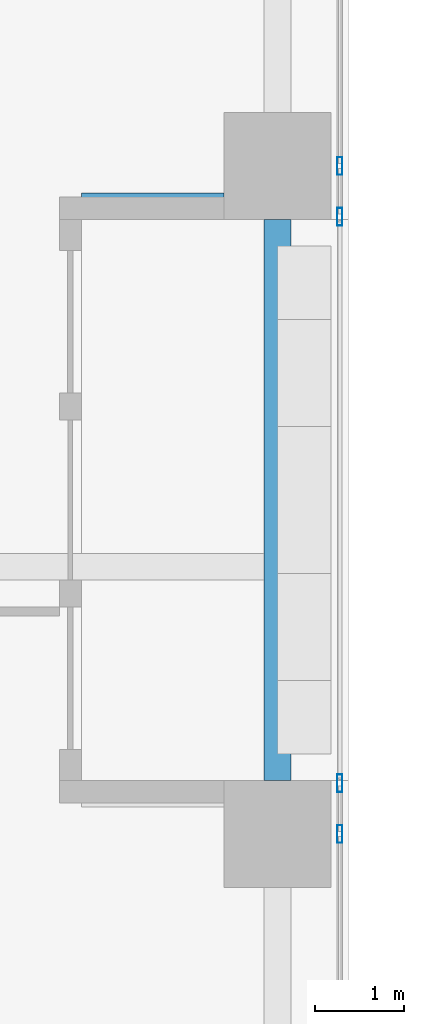
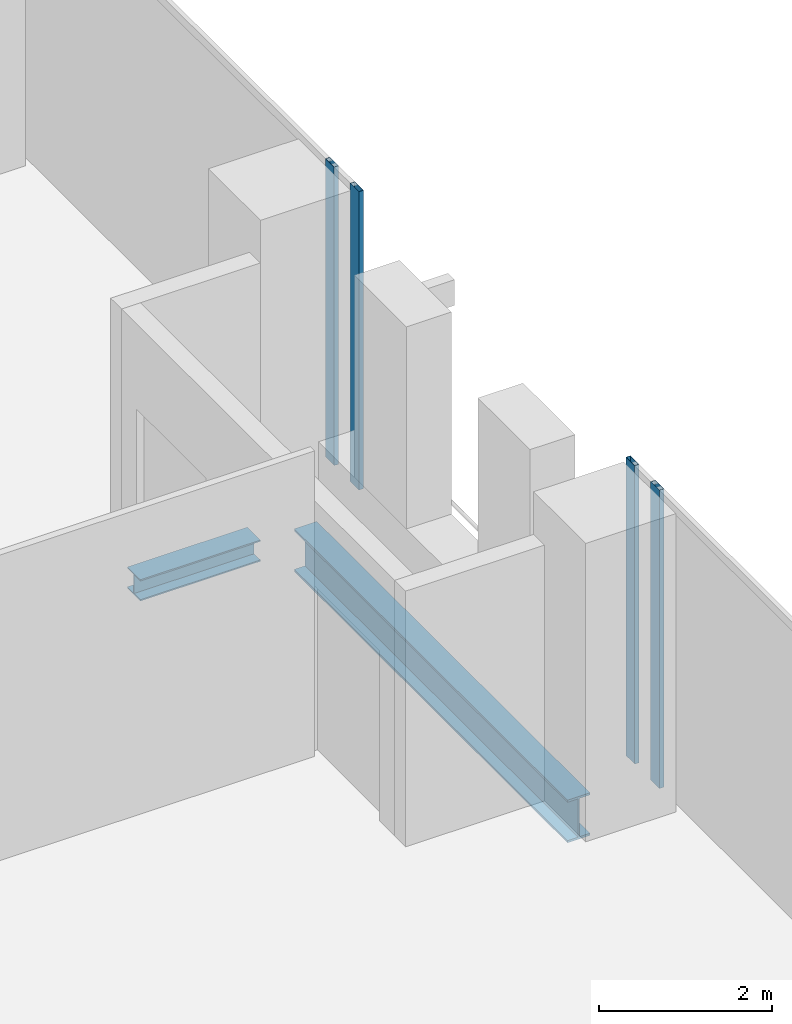
# One storey, part 11 of 33: 4 members, 2 beams, 2 elements without a shape of their own.
"""IFC4 building model written with IfcOpenShell, lengths in metres."""

from ifc_helpers import new_model, si_unit, direction, frame, origin, origin_2d, place, context, subcontext, project, spatial, hollow_rectangle, i_section, extrude, source, transform, mapped, material, material_profile, profile_set, type_object, element, aggregate, save


model = new_model("IFC4")

# Units and contexts
model_context = context("Model", 3, precision=1e-05, world=origin(), true_north=direction((0.0, 1.0)))
body_context = subcontext(model_context, "Body", "Model", "MODEL_VIEW")
ifc_project = project(units=[si_unit("LENGTHUNIT", "METRE"), si_unit("AREAUNIT", "SQUARE_METRE"), si_unit("VOLUMEUNIT", "CUBIC_METRE"), si_unit("PLANEANGLEUNIT", "RADIAN"), si_unit("MASSUNIT", "GRAM", prefix="KILO")], contexts=[model_context])

# Site, building, storey
site_placement = place(None, origin())
site = spatial("IfcSite", under=ifc_project, at=site_placement, CompositionType="ELEMENT")
building_placement = place(site_placement, origin())
building = spatial("IfcBuilding", under=site, at=building_placement, Name="Khomas Fold Tower", CompositionType="ELEMENT")
storey_placement = place(building_placement, frame((0.0, 0.0, 78.0)))
storey = spatial("IfcBuildingStorey", under=building, at=storey_placement, Name="L16", CompositionType="ELEMENT", Elevation=78.0)

# Beams
ifc_material_1 = material(Name="Steel S355", Category="steel")
ifc_material_profile_1 = material_profile(ifc_material_1, i_section(OverallWidth=0.300048828125, OverallDepth=0.60009765625, WebThickness=0.015380859375, FlangeThickness=0.030029296875, at=origin_2d()), Name="HE 600 B")
ifc_profile_set_1 = profile_set([ifc_material_profile_1], Name="Steel S355")
beam_type_1 = type_object("IfcBeamType", Name="HE 600 B spandrel SB1", PredefinedType="SPANDREL", material=ifc_profile_set_1)
shared_shape_1 = source(origin(), body_context, "Body", "SweptSolid", [
    extrude(i_section(OverallWidth=0.300048828125, OverallDepth=0.60009765625, WebThickness=0.015380859375, FlangeThickness=0.030029296875, at=origin_2d()), origin(), (0.0, 0.0, 1.0), 6.2998046875),
])
beam_1_placement = place(storey_placement, frame((53.199951171875, 20.10009765625, -0.60009765625), z_axis=(0.0, 1.0, 0.0), x_axis=(-1.0, 0.0, 0.0)))
element("IfcBeam", 1, at=beam_1_placement, inside=storey, type_object=beam_type_1, Name="SB1", PredefinedType="SPANDREL", context=body_context, shape_type="MappedRepresentation", body=[
    mapped(shared_shape_1, transform((0.0, 0.0, 0.0))),
])
ifc_material_2 = material(Name="Steel S355", Category="steel")
ifc_material_profile_2 = material_profile(ifc_material_2, i_section(OverallWidth=0.300048828125, OverallDepth=0.300048828125, WebThickness=0.010986328125, FlangeThickness=0.01904296875, at=origin_2d()), Name="HE 300 B")
ifc_profile_set_2 = profile_set([ifc_material_profile_2], Name="Steel S355")
beam_type_2 = type_object("IfcBeamType", Name="HE 300 B beam BB1", PredefinedType="BEAM", material=ifc_profile_set_2)
shared_shape_2 = source(origin(), body_context, "Body", "SweptSolid", [
    extrude(i_section(OverallWidth=0.300048828125, OverallDepth=0.300048828125, WebThickness=0.010986328125, FlangeThickness=0.01904296875, at=origin_2d()), origin(), (0.0, 0.0, 1.0), 1.60009765625),
])
beam_2_placement = place(storey_placement, frame((51.0, 26.550048828125, -0.449951171875), z_axis=(1.0, 0.0, 0.0), x_axis=(0.0, 1.0, 0.0)))
element("IfcBeam", 2, at=beam_2_placement, inside=storey, type_object=beam_type_2, Name="BB1", PredefinedType="BEAM", context=body_context, shape_type="MappedRepresentation", body=[
    mapped(shared_shape_2, transform((0.0, 0.0, 0.0))),
])

# Curtain wall, members
ifc_material_3 = material(Name="Aluminium framed double glazing", Category="aluminium")
curtain_wall_type = type_object("IfcCurtainWallType", Name="SK-Unitised clear-glass wall, growing floors CW1", PredefinedType="NOTDEFINED", material=ifc_material_3)
curtain_wall_1_placement = place(storey_placement, origin())
curtain_wall_1 = element("IfcCurtainWall", 3, at=curtain_wall_1_placement, inside=storey, type_object=curtain_wall_type, Name="CW1 run L16 03-0", PredefinedType="NOTDEFINED")
ifc_material_4 = material(Name="Aluminium", Category="aluminium")
ifc_material_profile_3 = material_profile(ifc_material_4, hollow_rectangle(XDim=0.06005859375, YDim=0.199951171875, WallThickness=0.00390625, at=origin_2d()), Name="SK-Unitised clear-glass wall, growing floors mullion CW1-M")
ifc_profile_set_3 = profile_set([ifc_material_profile_3], Name="Aluminium")
member_type = type_object("IfcMemberType", Name="SK-Unitised clear-glass wall, growing floors mullion CW1-M", PredefinedType="MULLION", material=ifc_profile_set_3)
shared_shape_3 = source(origin(), body_context, "Body", "SweptSolid", [
    extrude(hollow_rectangle(XDim=0.06005859375, YDim=0.199951171875, WallThickness=0.00390625, at=origin_2d()), origin(), (0.0, 0.0, 1.0), 4.199951171875),
])
member_1_placement = place(storey_placement, frame((53.89990234375, 19.5, 0.0), z_axis=(0.0, 0.0, 1.0), x_axis=(-1.0, 0.0, 0.0)))
member_1 = element("IfcMember", 4, at=member_1_placement, type_object=member_type, Name="CW1 mullion 4", PredefinedType="MULLION", context=body_context, shape_type="MappedRepresentation", body=[
    mapped(shared_shape_3, transform((0.0, 0.0, 0.0))),
])
member_2_placement = place(storey_placement, frame((53.89990234375, 20.070068359375, 0.0), z_axis=(0.0, 0.0, 1.0), x_axis=(-1.0, 0.0, 0.0)))
member_2 = element("IfcMember", 5, at=member_2_placement, type_object=member_type, Name="CW1 mullion 5", PredefinedType="MULLION", context=body_context, shape_type="MappedRepresentation", body=[
    mapped(shared_shape_3, transform((0.0, 0.0, 0.0))),
])
aggregate(curtain_wall_1, [member_1, member_2])

curtain_wall_2_placement = place(storey_placement, origin())
curtain_wall_2 = element("IfcCurtainWall", 6, at=curtain_wall_2_placement, inside=storey, type_object=curtain_wall_type, Name="CW1 run L16 03-1", PredefinedType="NOTDEFINED")
member_3_placement = place(storey_placement, frame((53.89990234375, 26.429931640625, 0.0), z_axis=(0.0, 0.0, 1.0), x_axis=(-1.0, 0.0, 0.0)))
member_3 = element("IfcMember", 7, at=member_3_placement, type_object=member_type, Name="CW1 mullion 1", PredefinedType="MULLION", context=body_context, shape_type="MappedRepresentation", body=[
    mapped(shared_shape_3, transform((0.0, 0.0, 0.0))),
])
member_4_placement = place(storey_placement, frame((53.89990234375, 27.0, 0.0), z_axis=(0.0, 0.0, 1.0), x_axis=(-1.0, 0.0, 0.0)))
member_4 = element("IfcMember", 8, at=member_4_placement, type_object=member_type, Name="CW1 mullion 2", PredefinedType="MULLION", context=body_context, shape_type="MappedRepresentation", body=[
    mapped(shared_shape_3, transform((0.0, 0.0, 0.0))),
])
aggregate(curtain_wall_2, [member_3, member_4])

save(model, "model.ifc")
